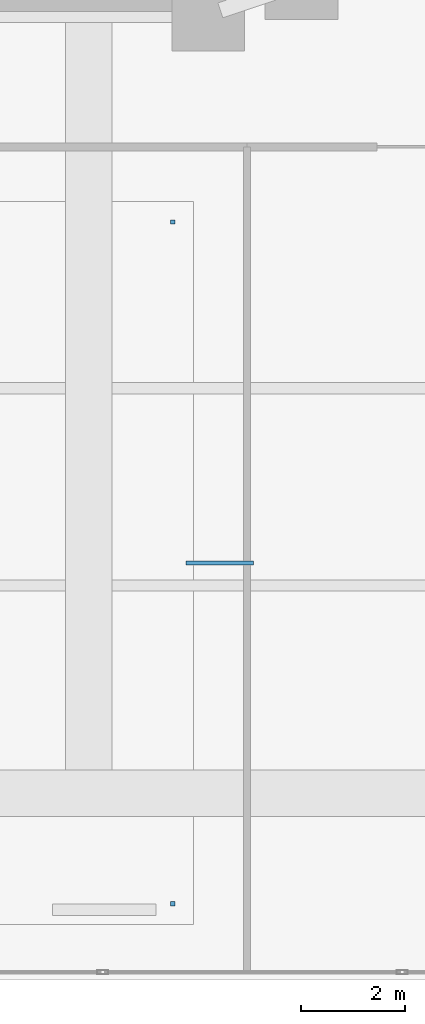
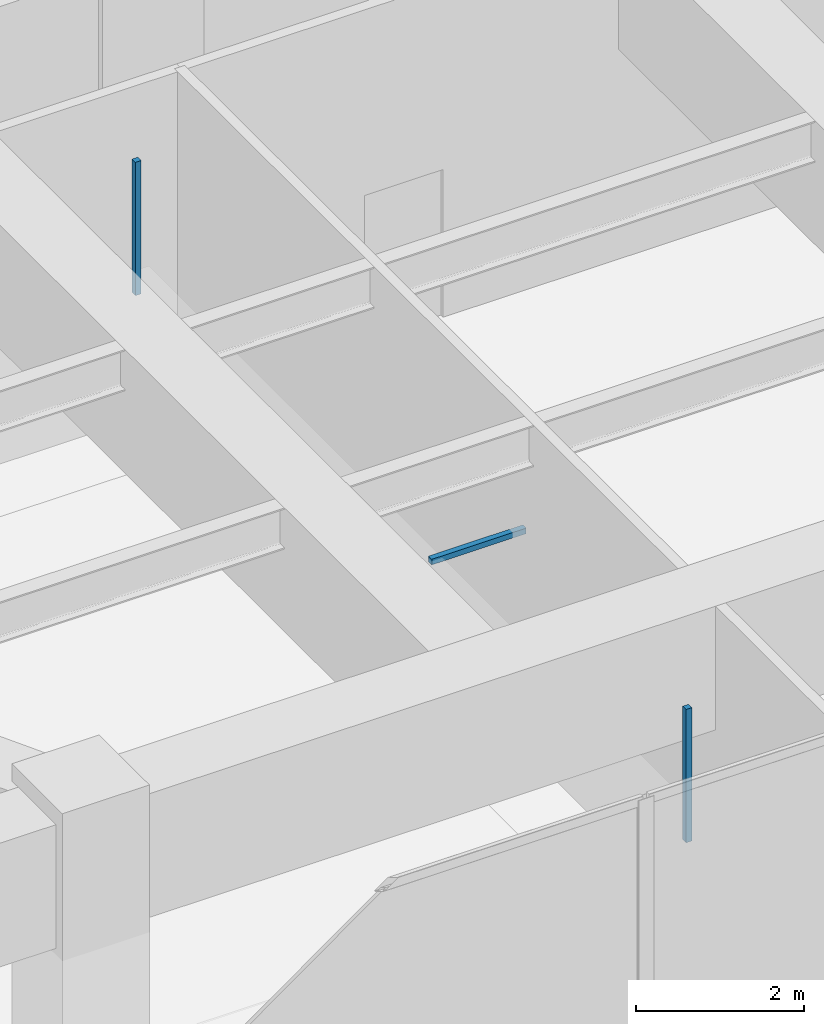
# One storey, part 15 of 21: 3 discrete accessories.
"""IFC4 building model written with IfcOpenShell, lengths in metres."""

from ifc_helpers import new_model, si_unit, direction, frame, origin, origin_2d, place, context, subcontext, project, spatial, rectangle, extrude, material, type_object, element, save


model = new_model("IFC4")

# Units and contexts
model_context = context("Model", 3, precision=1e-05, world=origin(), true_north=direction((0.0, 1.0)))
body_context = subcontext(model_context, "Body", "Model", "MODEL_VIEW")
ifc_project = project(units=[si_unit("LENGTHUNIT", "METRE"), si_unit("AREAUNIT", "SQUARE_METRE"), si_unit("VOLUMEUNIT", "CUBIC_METRE"), si_unit("PLANEANGLEUNIT", "RADIAN"), si_unit("MASSUNIT", "GRAM", prefix="KILO")], contexts=[model_context])

# Site, building, storey
site_placement = place(None, origin())
site = spatial("IfcSite", under=ifc_project, at=site_placement, CompositionType="ELEMENT")
building_placement = place(site_placement, origin())
building = spatial("IfcBuilding", under=site, at=building_placement, Name="Tarnavaz Court Tower", CompositionType="ELEMENT")
storey_placement = place(building_placement, frame((0.0, 0.0, 18.89990234375)))
storey = spatial("IfcBuildingStorey", under=building, at=storey_placement, Name="L04", CompositionType="ELEMENT", Elevation=18.89990234375)

# Discrete accessories
ifc_material = material(Name="Anodised Aluminium 6063-T6", Category="aluminium")
discrete_accessory_type = type_object("IfcDiscreteAccessoryType", Name="DA-BRKT-ALU", PredefinedType="BRACKET", material=ifc_material)
for number, where, z_axis, x_axis, name in (
    (1, (7.1201171875, -24.929931640625, 2.940185546875), (0.0, 0.0, 1.0), (1.0, 0.0, 0.0), "L04 Ceiling Suspension Hanger Bracket 04-2"),
    (2, (7.1201171875, -11.800048828125, 2.940185546875), (0.0, 0.0, 1.0), (1.0, 0.0, 0.0), "L04 Ceiling Suspension Hanger Bracket 04-3"),
):
    element("IfcDiscreteAccessory", number, at=place(storey_placement, frame(where, z_axis=z_axis, x_axis=x_axis)), inside=storey, type_object=discrete_accessory_type, Name=name, PredefinedType="BRACKET", context=body_context, shape_type="SweptSolid", body=[
        extrude(rectangle(XDim=0.080078125, YDim=0.080078125, at=origin_2d()), origin(), (0.0, 0.0, 1.0), 1.93994140625),
    ])
discrete_accessory_placement = place(storey_placement, frame((8.02001953125, -18.364990234375, 2.902587890625), z_axis=(0.0, 0.0, 1.0), x_axis=(1.0, 0.0, 0.0)))
element("IfcDiscreteAccessory", 3, at=discrete_accessory_placement, inside=storey, type_object=discrete_accessory_type, Name="L04 Ceiling Perimeter Wall-Tie Bracket 04-2", PredefinedType="BRACKET", context=body_context, shape_type="SweptSolid", body=[
    extrude(rectangle(XDim=1.300048828125, YDim=0.080078125, at=origin_2d()), origin(), (0.0, 0.0, 1.0), 0.080078125),
])

save(model, "model.ifc")
